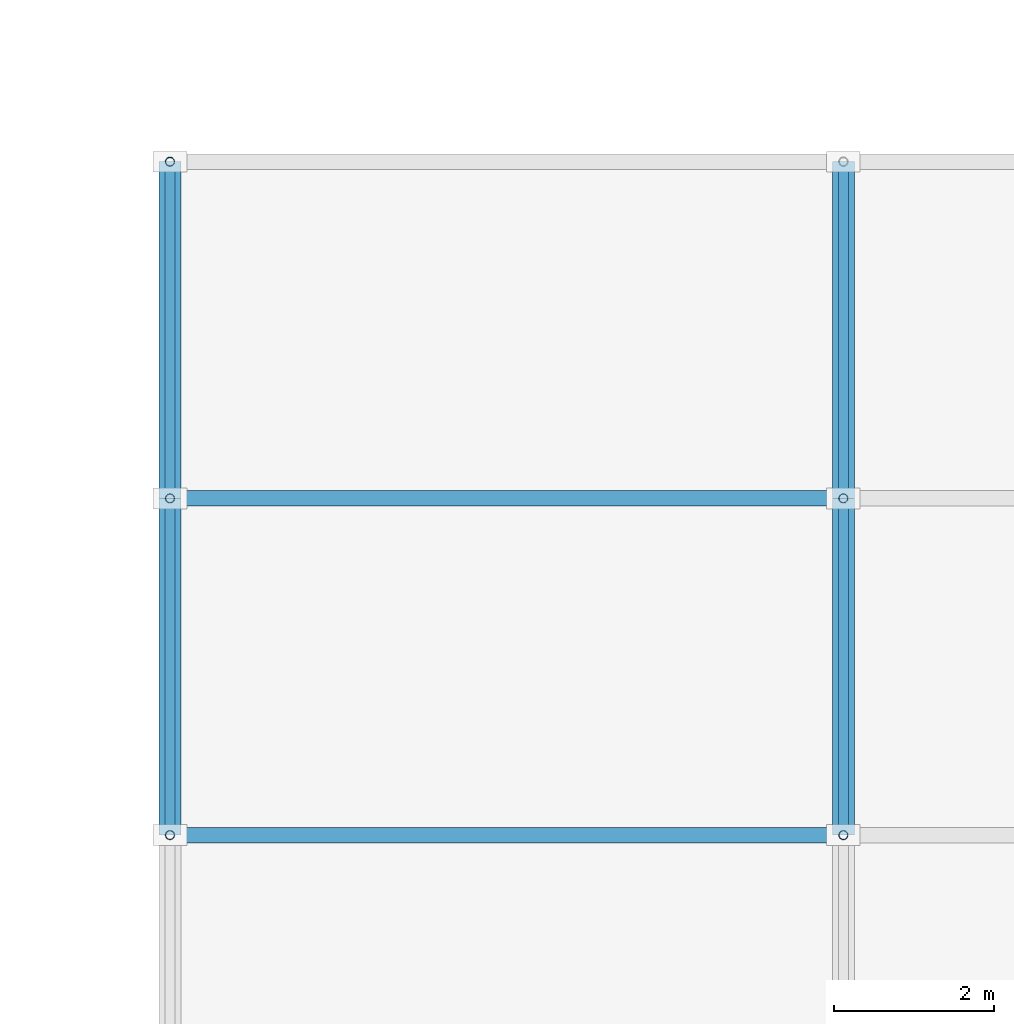
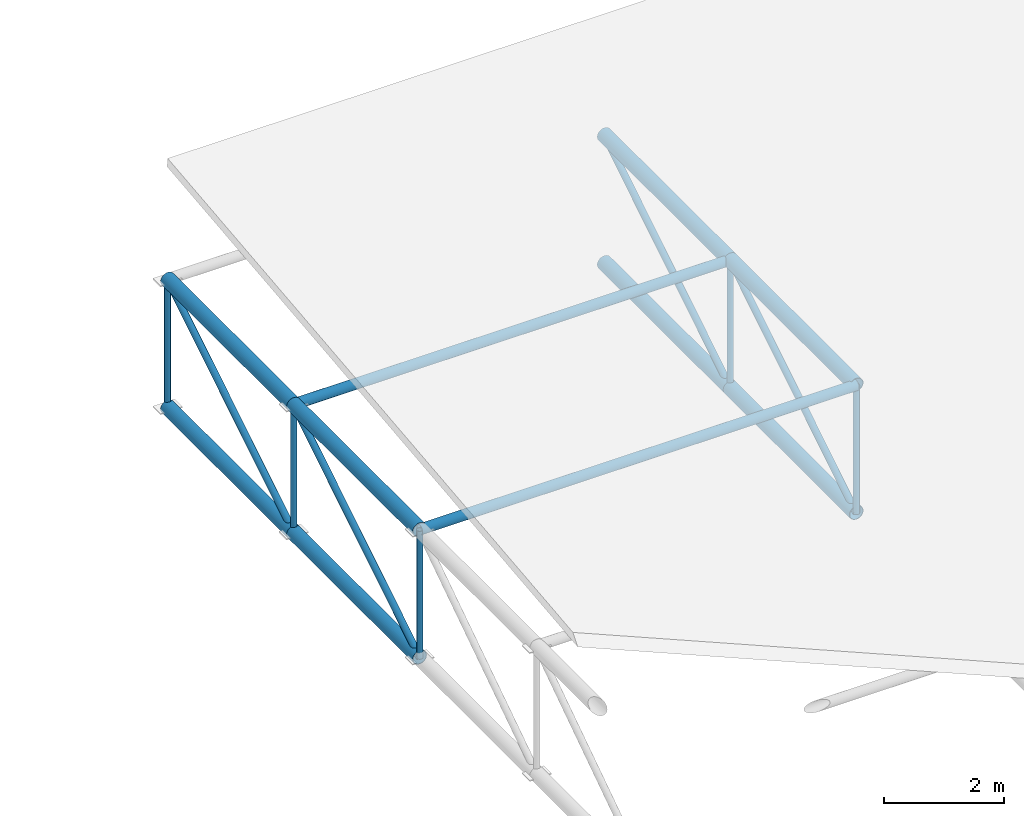
# One storey, part 27 of 140: 11 members, 8 beams.
"""IFC4 building model written with IfcOpenShell, lengths in metres."""

from ifc_helpers import new_model, si_unit, direction, frame, origin, origin_2d, place, context, subcontext, project, spatial, hollow_circle, extrude, material, material_profile, profile_set, type_object, element, save


model = new_model("IFC4")

# Units and contexts
model_context = context("Model", 3, precision=1e-05, world=origin(), true_north=direction((0.0, 1.0)))
body_context = subcontext(model_context, "Body", "Model", "MODEL_VIEW")
ifc_project = project(units=[si_unit("LENGTHUNIT", "METRE"), si_unit("AREAUNIT", "SQUARE_METRE"), si_unit("VOLUMEUNIT", "CUBIC_METRE"), si_unit("PLANEANGLEUNIT", "RADIAN"), si_unit("MASSUNIT", "GRAM", prefix="KILO")], contexts=[model_context])

# Site, building, storey
site_placement = place(None, origin())
site = spatial("IfcSite", under=ifc_project, at=site_placement, CompositionType="ELEMENT")
building_placement = place(site_placement, origin())
building = spatial("IfcBuilding", under=site, at=building_placement, Name="Varnapada Polytechnic", CompositionType="ELEMENT")
storey_placement = place(building_placement, frame((0.0, 0.0, 13.800048828125)))
storey = spatial("IfcBuildingStorey", under=building, at=storey_placement, Name="L03", CompositionType="ELEMENT", Elevation=13.800048828125)

# Members
ifc_material = material(Name="Steel S355", Category="steel")
ifc_material_profile_1 = material_profile(ifc_material, hollow_circle(Radius=0.096923828125, WallThickness=0.00634765625, at=origin_2d()), Name="CHS 193.7x6.3")
ifc_profile_set_1 = profile_set([ifc_material_profile_1], Name="Steel S355")
member_type_1 = type_object("IfcMemberType", Name="Canopy space frame longitudinal chord SFC-03 (CHS 193.7x6.3)", PredefinedType="CHORD", material=ifc_profile_set_1)
for number, where, z_axis, x_axis, name in (
    (1, (75.60009765625, 21.0, -1.35009765625), (1.0, 0.0, 0.0), (0.0, 1.0, 0.0), "Entrance canopy longitudinal chord 1.2"),
    (2, (75.60009765625, 16.800048828125, -1.35009765625), (1.0, 0.0, 0.0), (0.0, 1.0, 0.0), "Entrance canopy longitudinal chord 1.3"),
):
    element("IfcMember", number, at=place(storey_placement, frame(where, z_axis=z_axis, x_axis=x_axis)), inside=storey, type_object=member_type_1, Name=name, PredefinedType="CHORD", context=body_context, shape_type="SweptSolid", body=[
        extrude(hollow_circle(Radius=0.096923828125, WallThickness=0.00634765625, at=origin_2d()), origin(), (0.0, 0.0, 1.0), 8.39990234375),
    ])
ifc_material_profile_2 = material_profile(ifc_material, hollow_circle(Radius=0.05712890625, WallThickness=0.0048828125, at=origin_2d()), Name="CHS 114.3x5.0")
ifc_profile_set_2 = profile_set([ifc_material_profile_2], Name="Steel S355")
member_type_2 = type_object("IfcMemberType", Name="Canopy space frame web strut SFS-02 (CHS 114.3x5.0)", PredefinedType="STRUT", material=ifc_profile_set_2)
for number, where, z_axis, x_axis, name in (
    (3, (75.60009765625, 25.199951171875, -3.949951171875), (0.0, 0.0, 1.0), (1.0, 0.0, 0.0), "Entrance canopy space frame post 1.1"),
    (4, (75.60009765625, 21.0, -3.949951171875), (0.0, 0.0, 1.0), (1.0, 0.0, 0.0), "Entrance canopy space frame post 1.2"),
    (5, (75.60009765625, 16.800048828125, -3.949951171875), (0.0, 0.0, 1.0), (1.0, 0.0, 0.0), "Entrance canopy space frame post 1.3"),
    (6, (84.0, 21.0, -3.949951171875), (0.0, 0.0, 1.0), (1.0, 0.0, 0.0), "Entrance canopy space frame post 2.2"),
    (7, (84.0, 16.800048828125, -3.949951171875), (0.0, 0.0, 1.0), (1.0, 0.0, 0.0), "Entrance canopy space frame post 2.3"),
):
    element("IfcMember", number, at=place(storey_placement, frame(where, z_axis=z_axis, x_axis=x_axis)), inside=storey, type_object=member_type_2, Name=name, PredefinedType="STRUT", context=body_context, shape_type="SweptSolid", body=[
        extrude(hollow_circle(Radius=0.05712890625, WallThickness=0.0048828125, at=origin_2d()), origin(), (0.0, 0.0, 1.0), 2.599853515625),
    ])
ifc_material_profile_3 = material_profile(ifc_material, hollow_circle(Radius=0.0634765625, WallThickness=0.0048828125, at=origin_2d()), Name="CHS 127.0x5.0")
ifc_profile_set_3 = profile_set([ifc_material_profile_3], Name="Steel S355")
member_type_3 = type_object("IfcMemberType", Name="Canopy web diagonal SFB-04 (CHS 127.0x5.0)", PredefinedType="BRACE", material=ifc_profile_set_3)
for number, where, z_axis, x_axis, name in (
    (8, (75.60009765625, 25.199951171875, -1.35009765625), (0.0, -0.85027567993, -0.526337598999), (1.0, 0.0, 0.0), "Entrance canopy space frame web brace 1.1"),
    (9, (75.60009765625, 21.0, -1.35009765625), (0.0, -0.85027567993, -0.526337598999), (1.0, 0.0, 0.0), "Entrance canopy space frame web brace 1.2"),
    (10, (84.0, 25.199951171875, -1.35009765625), (0.0, -0.85027567993, -0.526337598999), (1.0, 0.0, 0.0), "Entrance canopy space frame web brace 2.1"),
    (11, (84.0, 21.0, -1.35009765625), (0.0, -0.85027567993, -0.526337598999), (1.0, 0.0, 0.0), "Entrance canopy space frame web brace 2.2"),
):
    element("IfcMember", number, at=place(storey_placement, frame(where, z_axis=z_axis, x_axis=x_axis)), inside=storey, type_object=member_type_3, Name=name, PredefinedType="BRACE", context=body_context, shape_type="SweptSolid", body=[
        extrude(hollow_circle(Radius=0.0634765625, WallThickness=0.0048828125, at=origin_2d()), origin(), (0.0, 0.0, 1.0), 4.939453125),
    ])

# Beams
ifc_material_profile_4 = material_profile(ifc_material, hollow_circle(Radius=0.136474609375, WallThickness=0.010009765625, at=origin_2d()), Name="CHS 273.0x10.0")
ifc_profile_set_4 = profile_set([ifc_material_profile_4], Name="Steel S355")
beam_type = type_object("IfcBeamType", Name="Vaulted space frame canopy chord beam VA-03 (CHS 273.0x10.0)", PredefinedType="BEAM", material=ifc_profile_set_4)
for number, where, z_axis, x_axis, name in (
    (12, (75.60009765625, 25.199951171875, -3.949951171875), (0.0, -1.0, 0.0), (1.0, 0.0, 0.0), "Entrance canopy space frame bottom chord 1.1"),
    (13, (75.60009765625, 25.199951171875, -1.35009765625), (0.0, -1.0, 0.0), (1.0, 0.0, 0.0), "Entrance canopy space frame top chord 1.1"),
    (14, (75.60009765625, 21.0, -3.949951171875), (0.0, -1.0, 0.0), (1.0, 0.0, 0.0), "Entrance canopy space frame bottom chord 1.2"),
    (15, (75.60009765625, 21.0, -1.35009765625), (0.0, -1.0, 0.0), (1.0, 0.0, 0.0), "Entrance canopy space frame top chord 1.2"),
    (16, (84.0, 25.199951171875, -3.949951171875), (0.0, -1.0, 0.0), (1.0, 0.0, 0.0), "Entrance canopy space frame bottom chord 2.1"),
    (17, (84.0, 25.199951171875, -1.35009765625), (0.0, -1.0, 0.0), (1.0, 0.0, 0.0), "Entrance canopy space frame top chord 2.1"),
    (18, (84.0, 21.0, -3.949951171875), (0.0, -1.0, 0.0), (1.0, 0.0, 0.0), "Entrance canopy space frame bottom chord 2.2"),
    (19, (84.0, 21.0, -1.35009765625), (0.0, -1.0, 0.0), (1.0, 0.0, 0.0), "Entrance canopy space frame top chord 2.2"),
):
    element("IfcBeam", number, at=place(storey_placement, frame(where, z_axis=z_axis, x_axis=x_axis)), inside=storey, type_object=beam_type, Name=name, PredefinedType="BEAM", context=body_context, shape_type="SweptSolid", body=[
        extrude(hollow_circle(Radius=0.136474609375, WallThickness=0.010009765625, at=origin_2d()), origin(), (0.0, 0.0, 1.0), 4.199951171875),
    ])

save(model, "model.ifc")
